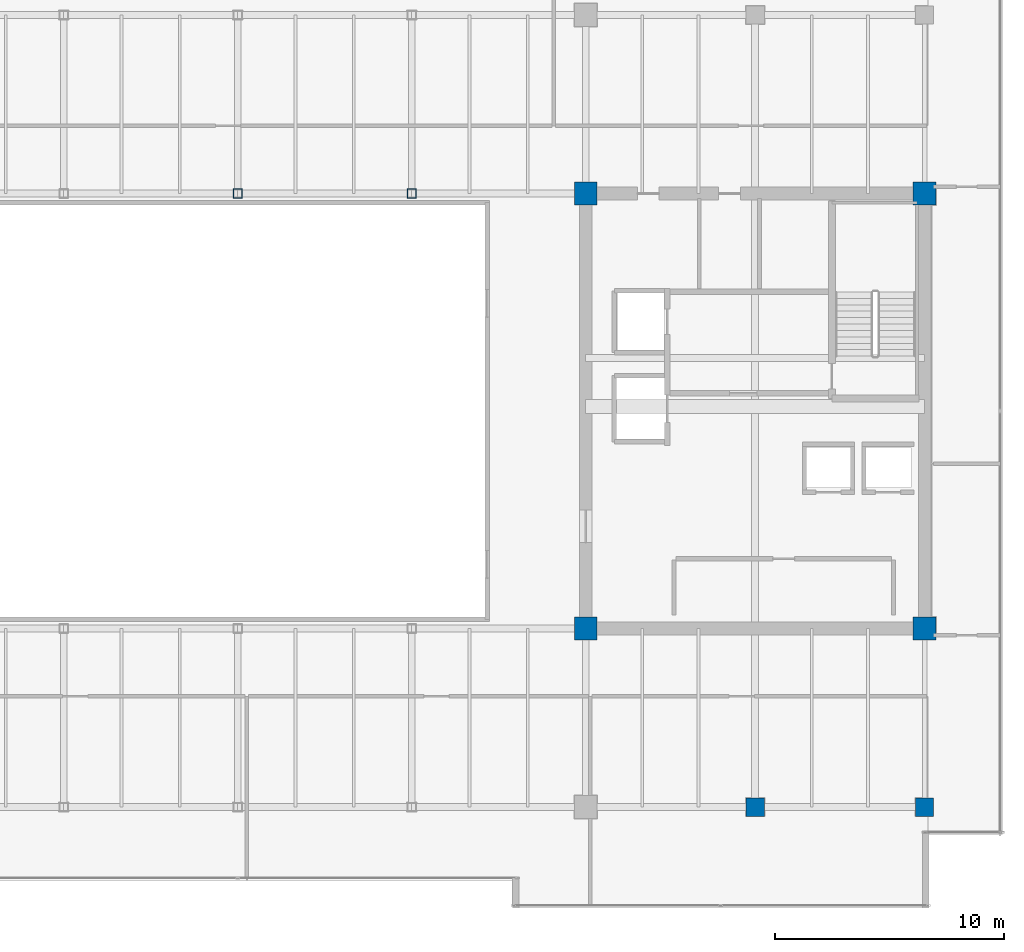
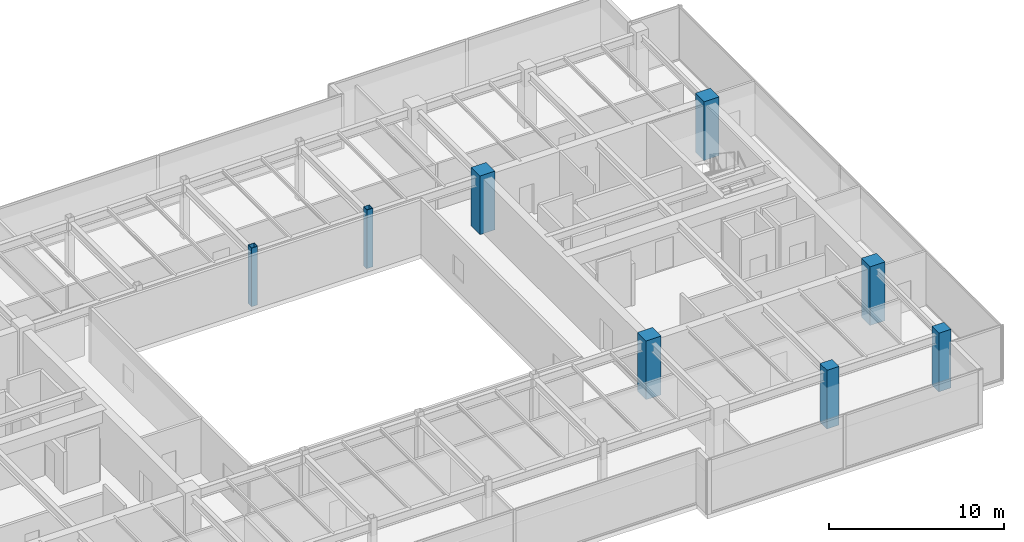
# One storey, part 2 of 36: 8 columns.
"""IFC4 building model written with IfcOpenShell, lengths in metres."""

from ifc_helpers import new_model, si_unit, direction, frame, origin, origin_2d, place, context, subcontext, project, spatial, rectangle, hollow_rectangle, extrude, source, transform, mapped, material, material_profile, profile_set, type_object, type_shapes, element, save


model = new_model("IFC4")

# Units and contexts
model_context = context("Model", 3, precision=1e-05, world=origin(), true_north=direction((0.0, 1.0)))
body_context = subcontext(model_context, "Body", "Model", "MODEL_VIEW")
ifc_project = project(units=[si_unit("LENGTHUNIT", "METRE"), si_unit("AREAUNIT", "SQUARE_METRE"), si_unit("VOLUMEUNIT", "CUBIC_METRE"), si_unit("PLANEANGLEUNIT", "RADIAN"), si_unit("MASSUNIT", "GRAM", prefix="KILO")], contexts=[model_context])

# Site, building, storey
site_placement = place(None, origin())
site = spatial("IfcSite", under=ifc_project, at=site_placement, CompositionType="ELEMENT")
building_placement = place(site_placement, origin())
building = spatial("IfcBuilding", under=site, at=building_placement, Name="Haelvirn Gate Laboratories", CompositionType="ELEMENT")
storey_placement = place(building_placement, frame((0.0, 0.0, 262.89990234375)))
storey = spatial("IfcBuildingStorey", under=building, at=storey_placement, Name="L63", CompositionType="ELEMENT", Elevation=262.89990234375)

# Columns
ifc_material_1 = material(Name="Concrete C60/75", Category="concrete")
ifc_material_profile_1 = material_profile(ifc_material_1, rectangle(XDim=1.0, YDim=1.0, at=origin_2d()), Name="RC-1000x1000")
ifc_profile_set_1 = profile_set([ifc_material_profile_1], Name="Concrete C60/75")
column_type_1 = type_object("IfcColumnType", Name="COL-RC-1000", PredefinedType="COLUMN", material=ifc_profile_set_1)
shared_shape_1 = source(origin(), body_context, "Body", "SweptSolid", [
    extrude(rectangle(XDim=1.0, YDim=1.0, at=origin_2d()), origin(), (0.0, 0.0, 1.0), 4.10009765625),
])
type_shapes(column_type_1, [shared_shape_1])
for number, where, z_axis, x_axis, name in (
    (1, (52.60009765625, 14.800048828125, 0.0), (0.0, 0.0, 1.0), (1.0, 0.0, 0.0), "L63 Column 8C"),
    (2, (67.39990234375, 14.800048828125, 0.0), (0.0, 0.0, 1.0), (1.0, 0.0, 0.0), "L63 Column 10C"),
    (3, (52.60009765625, 33.800048828125, 0.0), (0.0, 0.0, 1.0), (1.0, 0.0, 0.0), "L63 Column 8F"),
    (4, (67.39990234375, 33.800048828125, 0.0), (0.0, 0.0, 1.0), (1.0, 0.0, 0.0), "L63 Column 10F"),
):
    element("IfcColumn", number, at=place(storey_placement, frame(where, z_axis=z_axis, x_axis=x_axis)), inside=storey, type_object=column_type_1, Name=name, PredefinedType="COLUMN", context=body_context, shape_type="MappedRepresentation", body=[
        mapped(shared_shape_1, transform((0.0, 0.0, 0.0), scale=1.0)),
    ])
ifc_material_2 = material(Name="Concrete C50/60", Category="concrete")
ifc_material_profile_2 = material_profile(ifc_material_2, rectangle(XDim=0.800048828125, YDim=0.800048828125, at=origin_2d()), Name="RC-800x800")
ifc_profile_set_2 = profile_set([ifc_material_profile_2], Name="Concrete C50/60")
column_type_2 = type_object("IfcColumnType", Name="COL-RC-800", PredefinedType="COLUMN", material=ifc_profile_set_2)
shared_shape_2 = source(origin(), body_context, "Body", "SweptSolid", [
    extrude(rectangle(XDim=0.800048828125, YDim=0.800048828125, at=origin_2d()), origin(), (0.0, 0.0, 1.0), 4.10009765625),
])
type_shapes(column_type_2, [shared_shape_2])
for number, where, z_axis, x_axis, name in (
    (5, (60.0, 7.0, 0.0), (0.0, 0.0, 1.0), (1.0, 0.0, 0.0), "L63 Column 9B"),
    (6, (67.39990234375, 7.0, 0.0), (0.0, 0.0, 1.0), (1.0, 0.0, 0.0), "L63 Column 10B"),
):
    element("IfcColumn", number, at=place(storey_placement, frame(where, z_axis=z_axis, x_axis=x_axis)), inside=storey, type_object=column_type_2, Name=name, PredefinedType="COLUMN", context=body_context, shape_type="MappedRepresentation", body=[
        mapped(shared_shape_2, transform((0.0, 0.0, 0.0), scale=1.0)),
    ])
ifc_material_3 = material(Name="Steel SM355", Category="steel")
ifc_material_profile_3 = material_profile(ifc_material_3, hollow_rectangle(XDim=0.39990234375, YDim=0.39990234375, WallThickness=0.01904296875, at=origin_2d()), Name="BOX-400x400x19")
ifc_profile_set_3 = profile_set([ifc_material_profile_3], Name="Steel SM355")
column_type_3 = type_object("IfcColumnType", Name="COL-BOX-400", PredefinedType="COLUMN", material=ifc_profile_set_3)
shared_shape_3 = source(origin(), body_context, "Body", "SweptSolid", [
    extrude(hollow_rectangle(XDim=0.39990234375, YDim=0.39990234375, WallThickness=0.01904296875, at=origin_2d()), origin(), (0.0, 0.0, 1.0), 4.10009765625),
])
type_shapes(column_type_3, [shared_shape_3])
for number, where, z_axis, x_axis, name in (
    (7, (37.39990234375, 33.800048828125, 0.0), (0.0, 0.0, 1.0), (1.0, 0.0, 0.0), "L63 Column 6F"),
    (8, (45.0, 33.800048828125, 0.0), (0.0, 0.0, 1.0), (1.0, 0.0, 0.0), "L63 Column 7F"),
):
    element("IfcColumn", number, at=place(storey_placement, frame(where, z_axis=z_axis, x_axis=x_axis)), inside=storey, type_object=column_type_3, Name=name, PredefinedType="COLUMN", context=body_context, shape_type="MappedRepresentation", body=[
        mapped(shared_shape_3, transform((0.0, 0.0, 0.0), scale=1.0)),
    ])

save(model, "model.ifc")
